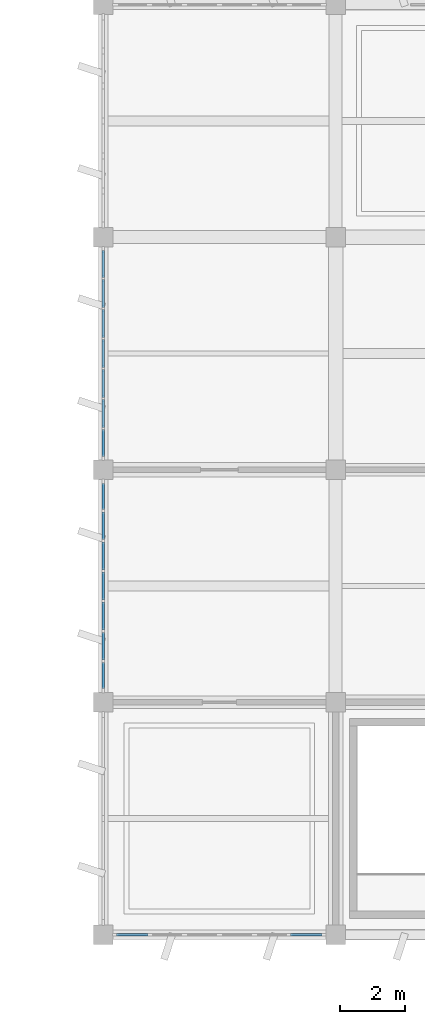
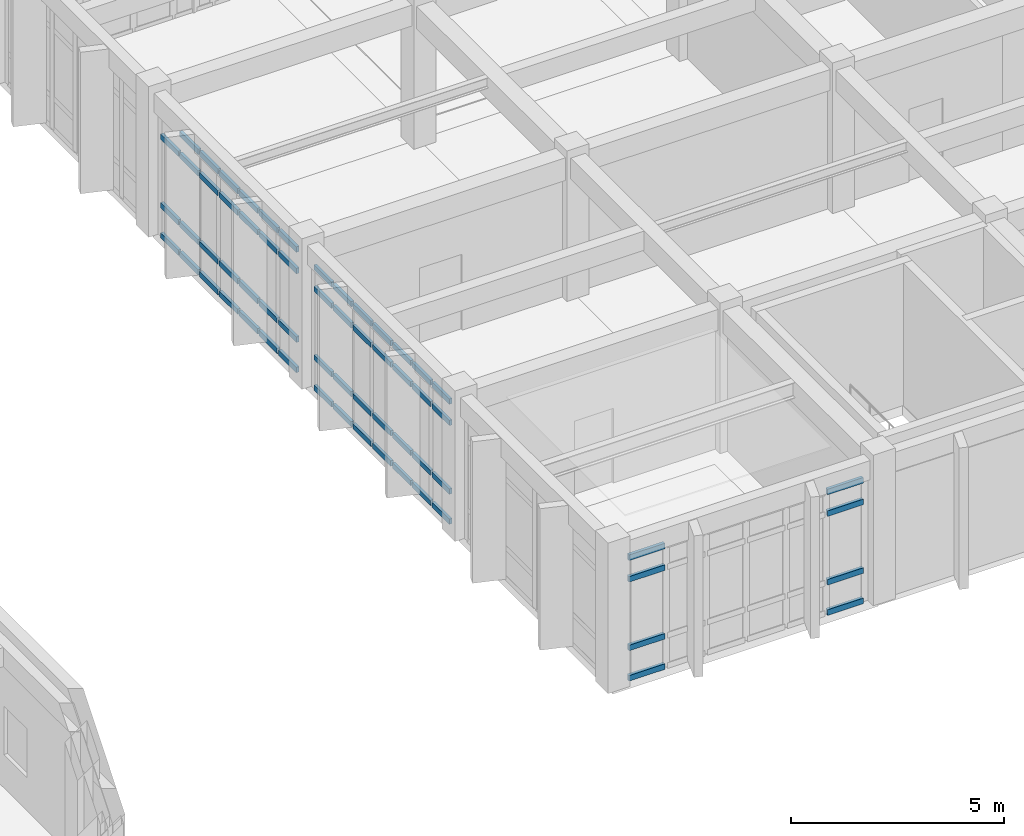
# One storey, part 30 of 70: 63 members, 3 elements without a shape of their own.
"""IFC4 building model written with IfcOpenShell, lengths in metres."""

from ifc_helpers import new_model, si_unit, direction, frame, origin, origin_2d, place, context, subcontext, project, spatial, rectangle, extrude, material, layer, layer_set, material_profile, profile_set, type_object, element, aggregate, save


model = new_model("IFC4")

# Units and contexts
model_context = context("Model", 3, precision=1e-05, world=origin(), true_north=direction((0.0, 1.0)))
body_context = subcontext(model_context, "Body", "Model", "MODEL_VIEW")
ifc_project = project(units=[si_unit("LENGTHUNIT", "METRE"), si_unit("AREAUNIT", "SQUARE_METRE"), si_unit("VOLUMEUNIT", "CUBIC_METRE"), si_unit("PLANEANGLEUNIT", "RADIAN"), si_unit("MASSUNIT", "GRAM", prefix="KILO")], contexts=[model_context])

# Site, building, storey
site_placement = place(None, origin())
site = spatial("IfcSite", under=ifc_project, at=site_placement, CompositionType="ELEMENT")
building_placement = place(site_placement, origin())
building = spatial("IfcBuilding", under=site, at=building_placement, Name="Kavelor Marine Aquarium", CompositionType="ELEMENT")
storey_placement = place(building_placement, frame((0.0, 0.0, 9.179931640625)))
storey = spatial("IfcBuildingStorey", under=building, at=storey_placement, Name="L02", CompositionType="ELEMENT", Elevation=9.179931640625)

# Curtain wall, members
ifc_material_1 = material(Name="Thermally Broken Aluminium and Low-E Glass", Category="aluminium")
ifc_layer_1 = layer(ifc_material_1, 0.14794921875)
ifc_layer_set_1 = layer_set([ifc_layer_1], Name="CW-SYS1")
curtain_wall_type_1 = type_object("IfcCurtainWallType", Name="CW-SYS1", PredefinedType="USERDEFINED", material=ifc_layer_set_1)
curtain_wall_1_placement = place(storey_placement, origin())
curtain_wall_1 = element("IfcCurtainWall", 1, at=curtain_wall_1_placement, inside=storey, type_object=curtain_wall_type_1, Name="cw:y:L02:16_01", ObjectType="Curtain Wall", PredefinedType="USERDEFINED")
ifc_material_2 = material(Name="Anodised Aluminium Alloy 6063-T6", Category="aluminium")
ifc_material_profile_1 = material_profile(ifc_material_2, rectangle(XDim=0.074951171875, YDim=0.14990234375, at=origin_2d()), Name="CW-TRN 75x150")
ifc_profile_set_1 = profile_set([ifc_material_profile_1], Name="Anodised Aluminium Alloy 6063-T6")
member_type_1 = type_object("IfcMemberType", Name="CWT-1", PredefinedType="USERDEFINED", material=ifc_profile_set_1)
member_1_placement = place(storey_placement, frame((118.39990234375, 16.780029296875, 0.03759765625), z_axis=(0.0, -1.0, 0.0), x_axis=(1.0, 0.0, 0.0)))
member_1 = element("IfcMember", 2, at=member_1_placement, type_object=member_type_1, Name="CW01 transom 1.1", ObjectType="TRANSOM", PredefinedType="USERDEFINED", context=body_context, shape_type="SweptSolid", body=[
    extrude(rectangle(XDim=0.074951171875, YDim=0.14990234375, at=origin_2d()), origin(), (0.0, 0.0, 1.0), 0.817626953125),
])
member_2_placement = place(storey_placement, frame((118.39990234375, 16.780029296875, 0.900146484375), z_axis=(0.0, -1.0, 0.0), x_axis=(1.0, 0.0, 0.0)))
member_2 = element("IfcMember", 3, at=member_2_placement, type_object=member_type_1, Name="CW01 transom 1.2", ObjectType="TRANSOM", PredefinedType="USERDEFINED", context=body_context, shape_type="SweptSolid", body=[
    extrude(rectangle(XDim=0.074951171875, YDim=0.14990234375, at=origin_2d()), origin(), (0.0, 0.0, 1.0), 0.817626953125),
])
member_3_placement = place(storey_placement, frame((118.39990234375, 16.780029296875, 2.8701171875), z_axis=(0.0, -1.0, 0.0), x_axis=(1.0, 0.0, 0.0)))
member_3 = element("IfcMember", 4, at=member_3_placement, type_object=member_type_1, Name="CW01 transom 1.3", ObjectType="TRANSOM", PredefinedType="USERDEFINED", context=body_context, shape_type="SweptSolid", body=[
    extrude(rectangle(XDim=0.074951171875, YDim=0.14990234375, at=origin_2d()), origin(), (0.0, 0.0, 1.0), 0.817626953125),
])
member_4_placement = place(storey_placement, frame((118.39990234375, 16.780029296875, 3.482666015625), z_axis=(0.0, -1.0, 0.0), x_axis=(1.0, 0.0, 0.0)))
member_4 = element("IfcMember", 5, at=member_4_placement, type_object=member_type_1, Name="CW01 transom 1.4", ObjectType="TRANSOM", PredefinedType="USERDEFINED", context=body_context, shape_type="SweptSolid", body=[
    extrude(rectangle(XDim=0.074951171875, YDim=0.14990234375, at=origin_2d()), origin(), (0.0, 0.0, 1.0), 0.817626953125),
])
member_5_placement = place(storey_placement, frame((118.39990234375, 15.887451171875, 0.03759765625), z_axis=(0.0, -1.0, 0.0), x_axis=(1.0, 0.0, 0.0)))
member_5 = element("IfcMember", 6, at=member_5_placement, type_object=member_type_1, Name="CW01 transom 2.1", ObjectType="TRANSOM", PredefinedType="USERDEFINED", context=body_context, shape_type="SweptSolid", body=[
    extrude(rectangle(XDim=0.074951171875, YDim=0.14990234375, at=origin_2d()), origin(), (0.0, 0.0, 1.0), 0.85498046875),
])
member_6_placement = place(storey_placement, frame((118.39990234375, 15.887451171875, 0.900146484375), z_axis=(0.0, -1.0, 0.0), x_axis=(1.0, 0.0, 0.0)))
member_6 = element("IfcMember", 7, at=member_6_placement, type_object=member_type_1, Name="CW01 transom 2.2", ObjectType="TRANSOM", PredefinedType="USERDEFINED", context=body_context, shape_type="SweptSolid", body=[
    extrude(rectangle(XDim=0.074951171875, YDim=0.14990234375, at=origin_2d()), origin(), (0.0, 0.0, 1.0), 0.85498046875),
])
member_7_placement = place(storey_placement, frame((118.39990234375, 15.887451171875, 2.8701171875), z_axis=(0.0, -1.0, 0.0), x_axis=(1.0, 0.0, 0.0)))
member_7 = element("IfcMember", 8, at=member_7_placement, type_object=member_type_1, Name="CW01 transom 2.3", ObjectType="TRANSOM", PredefinedType="USERDEFINED", context=body_context, shape_type="SweptSolid", body=[
    extrude(rectangle(XDim=0.074951171875, YDim=0.14990234375, at=origin_2d()), origin(), (0.0, 0.0, 1.0), 0.85498046875),
])
member_8_placement = place(storey_placement, frame((118.39990234375, 15.887451171875, 3.482666015625), z_axis=(0.0, -1.0, 0.0), x_axis=(1.0, 0.0, 0.0)))
member_8 = element("IfcMember", 9, at=member_8_placement, type_object=member_type_1, Name="CW01 transom 2.4", ObjectType="TRANSOM", PredefinedType="USERDEFINED", context=body_context, shape_type="SweptSolid", body=[
    extrude(rectangle(XDim=0.074951171875, YDim=0.14990234375, at=origin_2d()), origin(), (0.0, 0.0, 1.0), 0.85498046875),
])
member_9_placement = place(storey_placement, frame((118.39990234375, 14.95751953125, 0.03759765625), z_axis=(0.0, -1.0, 0.0), x_axis=(1.0, 0.0, 0.0)))
member_9 = element("IfcMember", 10, at=member_9_placement, type_object=member_type_1, Name="CW01 transom 3.1", ObjectType="TRANSOM", PredefinedType="USERDEFINED", context=body_context, shape_type="SweptSolid", body=[
    extrude(rectangle(XDim=0.074951171875, YDim=0.14990234375, at=origin_2d()), origin(), (0.0, 0.0, 1.0), 0.85498046875),
])
member_10_placement = place(storey_placement, frame((118.39990234375, 14.95751953125, 0.900146484375), z_axis=(0.0, -1.0, 0.0), x_axis=(1.0, 0.0, 0.0)))
member_10 = element("IfcMember", 11, at=member_10_placement, type_object=member_type_1, Name="CW01 transom 3.2", ObjectType="TRANSOM", PredefinedType="USERDEFINED", context=body_context, shape_type="SweptSolid", body=[
    extrude(rectangle(XDim=0.074951171875, YDim=0.14990234375, at=origin_2d()), origin(), (0.0, 0.0, 1.0), 0.85498046875),
])
member_11_placement = place(storey_placement, frame((118.39990234375, 14.95751953125, 2.8701171875), z_axis=(0.0, -1.0, 0.0), x_axis=(1.0, 0.0, 0.0)))
member_11 = element("IfcMember", 12, at=member_11_placement, type_object=member_type_1, Name="CW01 transom 3.3", ObjectType="TRANSOM", PredefinedType="USERDEFINED", context=body_context, shape_type="SweptSolid", body=[
    extrude(rectangle(XDim=0.074951171875, YDim=0.14990234375, at=origin_2d()), origin(), (0.0, 0.0, 1.0), 0.85498046875),
])
member_12_placement = place(storey_placement, frame((118.39990234375, 14.95751953125, 3.482666015625), z_axis=(0.0, -1.0, 0.0), x_axis=(1.0, 0.0, 0.0)))
member_12 = element("IfcMember", 13, at=member_12_placement, type_object=member_type_1, Name="CW01 transom 3.4", ObjectType="TRANSOM", PredefinedType="USERDEFINED", context=body_context, shape_type="SweptSolid", body=[
    extrude(rectangle(XDim=0.074951171875, YDim=0.14990234375, at=origin_2d()), origin(), (0.0, 0.0, 1.0), 0.85498046875),
])
member_13_placement = place(storey_placement, frame((118.39990234375, 14.027587890625, 0.03759765625), z_axis=(0.0, -1.0, 0.0), x_axis=(1.0, 0.0, 0.0)))
member_13 = element("IfcMember", 14, at=member_13_placement, type_object=member_type_1, Name="CW01 transom 4.1", ObjectType="TRANSOM", PredefinedType="USERDEFINED", context=body_context, shape_type="SweptSolid", body=[
    extrude(rectangle(XDim=0.074951171875, YDim=0.14990234375, at=origin_2d()), origin(), (0.0, 0.0, 1.0), 0.85498046875),
])
member_14_placement = place(storey_placement, frame((118.39990234375, 14.027587890625, 0.900146484375), z_axis=(0.0, -1.0, 0.0), x_axis=(1.0, 0.0, 0.0)))
member_14 = element("IfcMember", 15, at=member_14_placement, type_object=member_type_1, Name="CW01 transom 4.2", ObjectType="TRANSOM", PredefinedType="USERDEFINED", context=body_context, shape_type="SweptSolid", body=[
    extrude(rectangle(XDim=0.074951171875, YDim=0.14990234375, at=origin_2d()), origin(), (0.0, 0.0, 1.0), 0.85498046875),
])
member_15_placement = place(storey_placement, frame((118.39990234375, 14.027587890625, 2.8701171875), z_axis=(0.0, -1.0, 0.0), x_axis=(1.0, 0.0, 0.0)))
member_15 = element("IfcMember", 16, at=member_15_placement, type_object=member_type_1, Name="CW01 transom 4.3", ObjectType="TRANSOM", PredefinedType="USERDEFINED", context=body_context, shape_type="SweptSolid", body=[
    extrude(rectangle(XDim=0.074951171875, YDim=0.14990234375, at=origin_2d()), origin(), (0.0, 0.0, 1.0), 0.85498046875),
])
member_16_placement = place(storey_placement, frame((118.39990234375, 14.027587890625, 3.482666015625), z_axis=(0.0, -1.0, 0.0), x_axis=(1.0, 0.0, 0.0)))
member_16 = element("IfcMember", 17, at=member_16_placement, type_object=member_type_1, Name="CW01 transom 4.4", ObjectType="TRANSOM", PredefinedType="USERDEFINED", context=body_context, shape_type="SweptSolid", body=[
    extrude(rectangle(XDim=0.074951171875, YDim=0.14990234375, at=origin_2d()), origin(), (0.0, 0.0, 1.0), 0.85498046875),
])
member_17_placement = place(storey_placement, frame((118.39990234375, 13.097412109375, 0.03759765625), z_axis=(0.0, -1.0, 0.0), x_axis=(1.0, 0.0, 0.0)))
member_17 = element("IfcMember", 18, at=member_17_placement, type_object=member_type_1, Name="CW01 transom 5.1", ObjectType="TRANSOM", PredefinedType="USERDEFINED", context=body_context, shape_type="SweptSolid", body=[
    extrude(rectangle(XDim=0.074951171875, YDim=0.14990234375, at=origin_2d()), origin(), (0.0, 0.0, 1.0), 0.85498046875),
])
member_18_placement = place(storey_placement, frame((118.39990234375, 13.097412109375, 0.900146484375), z_axis=(0.0, -1.0, 0.0), x_axis=(1.0, 0.0, 0.0)))
member_18 = element("IfcMember", 19, at=member_18_placement, type_object=member_type_1, Name="CW01 transom 5.2", ObjectType="TRANSOM", PredefinedType="USERDEFINED", context=body_context, shape_type="SweptSolid", body=[
    extrude(rectangle(XDim=0.074951171875, YDim=0.14990234375, at=origin_2d()), origin(), (0.0, 0.0, 1.0), 0.85498046875),
])
member_19_placement = place(storey_placement, frame((118.39990234375, 13.097412109375, 2.8701171875), z_axis=(0.0, -1.0, 0.0), x_axis=(1.0, 0.0, 0.0)))
member_19 = element("IfcMember", 20, at=member_19_placement, type_object=member_type_1, Name="CW01 transom 5.3", ObjectType="TRANSOM", PredefinedType="USERDEFINED", context=body_context, shape_type="SweptSolid", body=[
    extrude(rectangle(XDim=0.074951171875, YDim=0.14990234375, at=origin_2d()), origin(), (0.0, 0.0, 1.0), 0.85498046875),
])
member_20_placement = place(storey_placement, frame((118.39990234375, 13.097412109375, 3.482666015625), z_axis=(0.0, -1.0, 0.0), x_axis=(1.0, 0.0, 0.0)))
member_20 = element("IfcMember", 21, at=member_20_placement, type_object=member_type_1, Name="CW01 transom 5.4", ObjectType="TRANSOM", PredefinedType="USERDEFINED", context=body_context, shape_type="SweptSolid", body=[
    extrude(rectangle(XDim=0.074951171875, YDim=0.14990234375, at=origin_2d()), origin(), (0.0, 0.0, 1.0), 0.85498046875),
])
member_21_placement = place(storey_placement, frame((118.39990234375, 12.16748046875, 0.03759765625), z_axis=(0.0, -1.0, 0.0), x_axis=(1.0, 0.0, 0.0)))
member_21 = element("IfcMember", 22, at=member_21_placement, type_object=member_type_1, Name="CW01 transom 6.1", ObjectType="TRANSOM", PredefinedType="USERDEFINED", context=body_context, shape_type="SweptSolid", body=[
    extrude(rectangle(XDim=0.074951171875, YDim=0.14990234375, at=origin_2d()), origin(), (0.0, 0.0, 1.0), 0.85498046875),
])
member_22_placement = place(storey_placement, frame((118.39990234375, 12.16748046875, 0.900146484375), z_axis=(0.0, -1.0, 0.0), x_axis=(1.0, 0.0, 0.0)))
member_22 = element("IfcMember", 23, at=member_22_placement, type_object=member_type_1, Name="CW01 transom 6.2", ObjectType="TRANSOM", PredefinedType="USERDEFINED", context=body_context, shape_type="SweptSolid", body=[
    extrude(rectangle(XDim=0.074951171875, YDim=0.14990234375, at=origin_2d()), origin(), (0.0, 0.0, 1.0), 0.85498046875),
])
member_23_placement = place(storey_placement, frame((118.39990234375, 12.16748046875, 2.8701171875), z_axis=(0.0, -1.0, 0.0), x_axis=(1.0, 0.0, 0.0)))
member_23 = element("IfcMember", 24, at=member_23_placement, type_object=member_type_1, Name="CW01 transom 6.3", ObjectType="TRANSOM", PredefinedType="USERDEFINED", context=body_context, shape_type="SweptSolid", body=[
    extrude(rectangle(XDim=0.074951171875, YDim=0.14990234375, at=origin_2d()), origin(), (0.0, 0.0, 1.0), 0.85498046875),
])
member_24_placement = place(storey_placement, frame((118.39990234375, 12.16748046875, 3.482666015625), z_axis=(0.0, -1.0, 0.0), x_axis=(1.0, 0.0, 0.0)))
member_24 = element("IfcMember", 25, at=member_24_placement, type_object=member_type_1, Name="CW01 transom 6.4", ObjectType="TRANSOM", PredefinedType="USERDEFINED", context=body_context, shape_type="SweptSolid", body=[
    extrude(rectangle(XDim=0.074951171875, YDim=0.14990234375, at=origin_2d()), origin(), (0.0, 0.0, 1.0), 0.85498046875),
])
member_25_placement = place(storey_placement, frame((118.39990234375, 11.237548828125, 0.03759765625), z_axis=(0.0, -1.0, 0.0), x_axis=(1.0, 0.0, 0.0)))
member_25 = element("IfcMember", 26, at=member_25_placement, type_object=member_type_1, Name="CW01 transom 7.1", ObjectType="TRANSOM", PredefinedType="USERDEFINED", context=body_context, shape_type="SweptSolid", body=[
    extrude(rectangle(XDim=0.074951171875, YDim=0.14990234375, at=origin_2d()), origin(), (0.0, 0.0, 1.0), 0.817626953125),
])
member_26_placement = place(storey_placement, frame((118.39990234375, 11.237548828125, 0.900146484375), z_axis=(0.0, -1.0, 0.0), x_axis=(1.0, 0.0, 0.0)))
member_26 = element("IfcMember", 27, at=member_26_placement, type_object=member_type_1, Name="CW01 transom 7.2", ObjectType="TRANSOM", PredefinedType="USERDEFINED", context=body_context, shape_type="SweptSolid", body=[
    extrude(rectangle(XDim=0.074951171875, YDim=0.14990234375, at=origin_2d()), origin(), (0.0, 0.0, 1.0), 0.817626953125),
])
member_27_placement = place(storey_placement, frame((118.39990234375, 11.237548828125, 2.8701171875), z_axis=(0.0, -1.0, 0.0), x_axis=(1.0, 0.0, 0.0)))
member_27 = element("IfcMember", 28, at=member_27_placement, type_object=member_type_1, Name="CW01 transom 7.3", ObjectType="TRANSOM", PredefinedType="USERDEFINED", context=body_context, shape_type="SweptSolid", body=[
    extrude(rectangle(XDim=0.074951171875, YDim=0.14990234375, at=origin_2d()), origin(), (0.0, 0.0, 1.0), 0.817626953125),
])
member_28_placement = place(storey_placement, frame((118.39990234375, 11.237548828125, 3.482666015625), z_axis=(0.0, -1.0, 0.0), x_axis=(1.0, 0.0, 0.0)))
member_28 = element("IfcMember", 29, at=member_28_placement, type_object=member_type_1, Name="CW01 transom 7.4", ObjectType="TRANSOM", PredefinedType="USERDEFINED", context=body_context, shape_type="SweptSolid", body=[
    extrude(rectangle(XDim=0.074951171875, YDim=0.14990234375, at=origin_2d()), origin(), (0.0, 0.0, 1.0), 0.817626953125),
])
aggregate(curtain_wall_1, [member_1, member_2, member_3, member_4, member_5, member_6, member_7, member_8, member_9, member_10, member_11, member_12, member_13, member_14, member_15, member_16, member_17, member_18, member_19, member_20, member_21, member_22, member_23, member_24, member_25, member_26, member_27, member_28])

ifc_material_3 = material(Name="Thermally Broken Aluminium and Low-E Glass", Category="aluminium")
ifc_layer_2 = layer(ifc_material_3, 0.156005859375)
ifc_layer_set_2 = layer_set([ifc_layer_2], Name="CW-SYS2")
curtain_wall_type_2 = type_object("IfcCurtainWallType", Name="CW-SYS2", PredefinedType="USERDEFINED", material=ifc_layer_set_2)
curtain_wall_2_placement = place(storey_placement, origin())
curtain_wall_2 = element("IfcCurtainWall", 30, at=curtain_wall_2_placement, inside=storey, type_object=curtain_wall_type_2, Name="cw:y:L02:16_02", ObjectType="Curtain Wall", PredefinedType="USERDEFINED")
ifc_material_4 = material(Name="Anodised Aluminium Alloy 6063-T6", Category="aluminium")
ifc_material_profile_2 = material_profile(ifc_material_4, rectangle(XDim=0.080078125, YDim=0.155029296875, at=origin_2d()), Name="CW-TRN 80x155")
ifc_profile_set_2 = profile_set([ifc_material_profile_2], Name="Anodised Aluminium Alloy 6063-T6")
member_type_2 = type_object("IfcMemberType", Name="CWT-2", PredefinedType="USERDEFINED", material=ifc_profile_set_2)
member_29_placement = place(storey_placement, frame((118.39990234375, 23.989990234375, 0.032470703125), z_axis=(0.0, -1.0, 0.0), x_axis=(1.0, 0.0, 0.0)))
member_29 = element("IfcMember", 31, at=member_29_placement, type_object=member_type_2, Name="CW02 transom 1.1", ObjectType="TRANSOM", PredefinedType="USERDEFINED", context=body_context, shape_type="SweptSolid", body=[
    extrude(rectangle(XDim=0.080078125, YDim=0.155029296875, at=origin_2d()), origin(), (0.0, 0.0, 1.0), 0.83251953125),
])
member_30_placement = place(storey_placement, frame((118.39990234375, 23.989990234375, 0.900146484375), z_axis=(0.0, -1.0, 0.0), x_axis=(1.0, 0.0, 0.0)))
member_30 = element("IfcMember", 32, at=member_30_placement, type_object=member_type_2, Name="CW02 transom 1.2", ObjectType="TRANSOM", PredefinedType="USERDEFINED", context=body_context, shape_type="SweptSolid", body=[
    extrude(rectangle(XDim=0.080078125, YDim=0.155029296875, at=origin_2d()), origin(), (0.0, 0.0, 1.0), 0.83251953125),
])
member_31_placement = place(storey_placement, frame((118.39990234375, 23.989990234375, 2.8701171875), z_axis=(0.0, -1.0, 0.0), x_axis=(1.0, 0.0, 0.0)))
member_31 = element("IfcMember", 33, at=member_31_placement, type_object=member_type_2, Name="CW02 transom 1.3", ObjectType="TRANSOM", PredefinedType="USERDEFINED", context=body_context, shape_type="SweptSolid", body=[
    extrude(rectangle(XDim=0.080078125, YDim=0.155029296875, at=origin_2d()), origin(), (0.0, 0.0, 1.0), 0.83251953125),
])
member_32_placement = place(storey_placement, frame((118.39990234375, 23.092529296875, 0.032470703125), z_axis=(0.0, -1.0, 0.0), x_axis=(1.0, 0.0, 0.0)))
member_32 = element("IfcMember", 34, at=member_32_placement, type_object=member_type_2, Name="CW02 transom 2.1", ObjectType="TRANSOM", PredefinedType="USERDEFINED", context=body_context, shape_type="SweptSolid", body=[
    extrude(rectangle(XDim=0.080078125, YDim=0.155029296875, at=origin_2d()), origin(), (0.0, 0.0, 1.0), 0.864990234375),
])
member_33_placement = place(storey_placement, frame((118.39990234375, 23.092529296875, 0.900146484375), z_axis=(0.0, -1.0, 0.0), x_axis=(1.0, 0.0, 0.0)))
member_33 = element("IfcMember", 35, at=member_33_placement, type_object=member_type_2, Name="CW02 transom 2.2", ObjectType="TRANSOM", PredefinedType="USERDEFINED", context=body_context, shape_type="SweptSolid", body=[
    extrude(rectangle(XDim=0.080078125, YDim=0.155029296875, at=origin_2d()), origin(), (0.0, 0.0, 1.0), 0.864990234375),
])
member_34_placement = place(storey_placement, frame((118.39990234375, 23.092529296875, 2.8701171875), z_axis=(0.0, -1.0, 0.0), x_axis=(1.0, 0.0, 0.0)))
member_34 = element("IfcMember", 36, at=member_34_placement, type_object=member_type_2, Name="CW02 transom 2.3", ObjectType="TRANSOM", PredefinedType="USERDEFINED", context=body_context, shape_type="SweptSolid", body=[
    extrude(rectangle(XDim=0.080078125, YDim=0.155029296875, at=origin_2d()), origin(), (0.0, 0.0, 1.0), 0.864990234375),
])
member_35_placement = place(storey_placement, frame((118.39990234375, 23.092529296875, 3.487548828125), z_axis=(0.0, -1.0, 0.0), x_axis=(1.0, 0.0, 0.0)))
member_35 = element("IfcMember", 37, at=member_35_placement, type_object=member_type_2, Name="CW02 transom 2.4", ObjectType="TRANSOM", PredefinedType="USERDEFINED", context=body_context, shape_type="SweptSolid", body=[
    extrude(rectangle(XDim=0.080078125, YDim=0.155029296875, at=origin_2d()), origin(), (0.0, 0.0, 1.0), 0.864990234375),
])
member_36_placement = place(storey_placement, frame((118.39990234375, 22.16259765625, 0.032470703125), z_axis=(0.0, -1.0, 0.0), x_axis=(1.0, 0.0, 0.0)))
member_36 = element("IfcMember", 38, at=member_36_placement, type_object=member_type_2, Name="CW02 transom 3.1", ObjectType="TRANSOM", PredefinedType="USERDEFINED", context=body_context, shape_type="SweptSolid", body=[
    extrude(rectangle(XDim=0.080078125, YDim=0.155029296875, at=origin_2d()), origin(), (0.0, 0.0, 1.0), 0.864990234375),
])
member_37_placement = place(storey_placement, frame((118.39990234375, 22.16259765625, 0.900146484375), z_axis=(0.0, -1.0, 0.0), x_axis=(1.0, 0.0, 0.0)))
member_37 = element("IfcMember", 39, at=member_37_placement, type_object=member_type_2, Name="CW02 transom 3.2", ObjectType="TRANSOM", PredefinedType="USERDEFINED", context=body_context, shape_type="SweptSolid", body=[
    extrude(rectangle(XDim=0.080078125, YDim=0.155029296875, at=origin_2d()), origin(), (0.0, 0.0, 1.0), 0.864990234375),
])
member_38_placement = place(storey_placement, frame((118.39990234375, 22.16259765625, 2.8701171875), z_axis=(0.0, -1.0, 0.0), x_axis=(1.0, 0.0, 0.0)))
member_38 = element("IfcMember", 40, at=member_38_placement, type_object=member_type_2, Name="CW02 transom 3.3", ObjectType="TRANSOM", PredefinedType="USERDEFINED", context=body_context, shape_type="SweptSolid", body=[
    extrude(rectangle(XDim=0.080078125, YDim=0.155029296875, at=origin_2d()), origin(), (0.0, 0.0, 1.0), 0.864990234375),
])
member_39_placement = place(storey_placement, frame((118.39990234375, 22.16259765625, 3.487548828125), z_axis=(0.0, -1.0, 0.0), x_axis=(1.0, 0.0, 0.0)))
member_39 = element("IfcMember", 41, at=member_39_placement, type_object=member_type_2, Name="CW02 transom 3.4", ObjectType="TRANSOM", PredefinedType="USERDEFINED", context=body_context, shape_type="SweptSolid", body=[
    extrude(rectangle(XDim=0.080078125, YDim=0.155029296875, at=origin_2d()), origin(), (0.0, 0.0, 1.0), 0.864990234375),
])
member_40_placement = place(storey_placement, frame((118.39990234375, 21.232421875, 0.032470703125), z_axis=(0.0, -1.0, 0.0), x_axis=(1.0, 0.0, 0.0)))
member_40 = element("IfcMember", 42, at=member_40_placement, type_object=member_type_2, Name="CW02 transom 4.1", ObjectType="TRANSOM", PredefinedType="USERDEFINED", context=body_context, shape_type="SweptSolid", body=[
    extrude(rectangle(XDim=0.080078125, YDim=0.155029296875, at=origin_2d()), origin(), (0.0, 0.0, 1.0), 0.864990234375),
])
member_41_placement = place(storey_placement, frame((118.39990234375, 21.232421875, 0.900146484375), z_axis=(0.0, -1.0, 0.0), x_axis=(1.0, 0.0, 0.0)))
member_41 = element("IfcMember", 43, at=member_41_placement, type_object=member_type_2, Name="CW02 transom 4.2", ObjectType="TRANSOM", PredefinedType="USERDEFINED", context=body_context, shape_type="SweptSolid", body=[
    extrude(rectangle(XDim=0.080078125, YDim=0.155029296875, at=origin_2d()), origin(), (0.0, 0.0, 1.0), 0.864990234375),
])
member_42_placement = place(storey_placement, frame((118.39990234375, 21.232421875, 2.8701171875), z_axis=(0.0, -1.0, 0.0), x_axis=(1.0, 0.0, 0.0)))
member_42 = element("IfcMember", 44, at=member_42_placement, type_object=member_type_2, Name="CW02 transom 4.3", ObjectType="TRANSOM", PredefinedType="USERDEFINED", context=body_context, shape_type="SweptSolid", body=[
    extrude(rectangle(XDim=0.080078125, YDim=0.155029296875, at=origin_2d()), origin(), (0.0, 0.0, 1.0), 0.864990234375),
])
member_43_placement = place(storey_placement, frame((118.39990234375, 21.232421875, 3.487548828125), z_axis=(0.0, -1.0, 0.0), x_axis=(1.0, 0.0, 0.0)))
member_43 = element("IfcMember", 45, at=member_43_placement, type_object=member_type_2, Name="CW02 transom 4.4", ObjectType="TRANSOM", PredefinedType="USERDEFINED", context=body_context, shape_type="SweptSolid", body=[
    extrude(rectangle(XDim=0.080078125, YDim=0.155029296875, at=origin_2d()), origin(), (0.0, 0.0, 1.0), 0.864990234375),
])
member_44_placement = place(storey_placement, frame((118.39990234375, 20.302490234375, 0.032470703125), z_axis=(0.0, -1.0, 0.0), x_axis=(1.0, 0.0, 0.0)))
member_44 = element("IfcMember", 46, at=member_44_placement, type_object=member_type_2, Name="CW02 transom 5.1", ObjectType="TRANSOM", PredefinedType="USERDEFINED", context=body_context, shape_type="SweptSolid", body=[
    extrude(rectangle(XDim=0.080078125, YDim=0.155029296875, at=origin_2d()), origin(), (0.0, 0.0, 1.0), 0.864990234375),
])
member_45_placement = place(storey_placement, frame((118.39990234375, 20.302490234375, 0.900146484375), z_axis=(0.0, -1.0, 0.0), x_axis=(1.0, 0.0, 0.0)))
member_45 = element("IfcMember", 47, at=member_45_placement, type_object=member_type_2, Name="CW02 transom 5.2", ObjectType="TRANSOM", PredefinedType="USERDEFINED", context=body_context, shape_type="SweptSolid", body=[
    extrude(rectangle(XDim=0.080078125, YDim=0.155029296875, at=origin_2d()), origin(), (0.0, 0.0, 1.0), 0.864990234375),
])
member_46_placement = place(storey_placement, frame((118.39990234375, 20.302490234375, 2.8701171875), z_axis=(0.0, -1.0, 0.0), x_axis=(1.0, 0.0, 0.0)))
member_46 = element("IfcMember", 48, at=member_46_placement, type_object=member_type_2, Name="CW02 transom 5.3", ObjectType="TRANSOM", PredefinedType="USERDEFINED", context=body_context, shape_type="SweptSolid", body=[
    extrude(rectangle(XDim=0.080078125, YDim=0.155029296875, at=origin_2d()), origin(), (0.0, 0.0, 1.0), 0.864990234375),
])
member_47_placement = place(storey_placement, frame((118.39990234375, 20.302490234375, 3.487548828125), z_axis=(0.0, -1.0, 0.0), x_axis=(1.0, 0.0, 0.0)))
member_47 = element("IfcMember", 49, at=member_47_placement, type_object=member_type_2, Name="CW02 transom 5.4", ObjectType="TRANSOM", PredefinedType="USERDEFINED", context=body_context, shape_type="SweptSolid", body=[
    extrude(rectangle(XDim=0.080078125, YDim=0.155029296875, at=origin_2d()), origin(), (0.0, 0.0, 1.0), 0.864990234375),
])
member_48_placement = place(storey_placement, frame((118.39990234375, 19.37255859375, 0.032470703125), z_axis=(0.0, -1.0, 0.0), x_axis=(1.0, 0.0, 0.0)))
member_48 = element("IfcMember", 50, at=member_48_placement, type_object=member_type_2, Name="CW02 transom 6.1", ObjectType="TRANSOM", PredefinedType="USERDEFINED", context=body_context, shape_type="SweptSolid", body=[
    extrude(rectangle(XDim=0.080078125, YDim=0.155029296875, at=origin_2d()), origin(), (0.0, 0.0, 1.0), 0.864990234375),
])
member_49_placement = place(storey_placement, frame((118.39990234375, 19.37255859375, 0.900146484375), z_axis=(0.0, -1.0, 0.0), x_axis=(1.0, 0.0, 0.0)))
member_49 = element("IfcMember", 51, at=member_49_placement, type_object=member_type_2, Name="CW02 transom 6.2", ObjectType="TRANSOM", PredefinedType="USERDEFINED", context=body_context, shape_type="SweptSolid", body=[
    extrude(rectangle(XDim=0.080078125, YDim=0.155029296875, at=origin_2d()), origin(), (0.0, 0.0, 1.0), 0.864990234375),
])
member_50_placement = place(storey_placement, frame((118.39990234375, 19.37255859375, 2.8701171875), z_axis=(0.0, -1.0, 0.0), x_axis=(1.0, 0.0, 0.0)))
member_50 = element("IfcMember", 52, at=member_50_placement, type_object=member_type_2, Name="CW02 transom 6.3", ObjectType="TRANSOM", PredefinedType="USERDEFINED", context=body_context, shape_type="SweptSolid", body=[
    extrude(rectangle(XDim=0.080078125, YDim=0.155029296875, at=origin_2d()), origin(), (0.0, 0.0, 1.0), 0.864990234375),
])
member_51_placement = place(storey_placement, frame((118.39990234375, 19.37255859375, 3.487548828125), z_axis=(0.0, -1.0, 0.0), x_axis=(1.0, 0.0, 0.0)))
member_51 = element("IfcMember", 53, at=member_51_placement, type_object=member_type_2, Name="CW02 transom 6.4", ObjectType="TRANSOM", PredefinedType="USERDEFINED", context=body_context, shape_type="SweptSolid", body=[
    extrude(rectangle(XDim=0.080078125, YDim=0.155029296875, at=origin_2d()), origin(), (0.0, 0.0, 1.0), 0.864990234375),
])
member_52_placement = place(storey_placement, frame((118.39990234375, 18.4423828125, 0.032470703125), z_axis=(0.0, -1.0, 0.0), x_axis=(1.0, 0.0, 0.0)))
member_52 = element("IfcMember", 54, at=member_52_placement, type_object=member_type_2, Name="CW02 transom 7.1", ObjectType="TRANSOM", PredefinedType="USERDEFINED", context=body_context, shape_type="SweptSolid", body=[
    extrude(rectangle(XDim=0.080078125, YDim=0.155029296875, at=origin_2d()), origin(), (0.0, 0.0, 1.0), 0.832275390625),
])
member_53_placement = place(storey_placement, frame((118.39990234375, 18.4423828125, 0.900146484375), z_axis=(0.0, -1.0, 0.0), x_axis=(1.0, 0.0, 0.0)))
member_53 = element("IfcMember", 55, at=member_53_placement, type_object=member_type_2, Name="CW02 transom 7.2", ObjectType="TRANSOM", PredefinedType="USERDEFINED", context=body_context, shape_type="SweptSolid", body=[
    extrude(rectangle(XDim=0.080078125, YDim=0.155029296875, at=origin_2d()), origin(), (0.0, 0.0, 1.0), 0.832275390625),
])
member_54_placement = place(storey_placement, frame((118.39990234375, 18.4423828125, 2.8701171875), z_axis=(0.0, -1.0, 0.0), x_axis=(1.0, 0.0, 0.0)))
member_54 = element("IfcMember", 56, at=member_54_placement, type_object=member_type_2, Name="CW02 transom 7.3", ObjectType="TRANSOM", PredefinedType="USERDEFINED", context=body_context, shape_type="SweptSolid", body=[
    extrude(rectangle(XDim=0.080078125, YDim=0.155029296875, at=origin_2d()), origin(), (0.0, 0.0, 1.0), 0.832275390625),
])
member_55_placement = place(storey_placement, frame((118.39990234375, 18.4423828125, 3.487548828125), z_axis=(0.0, -1.0, 0.0), x_axis=(1.0, 0.0, 0.0)))
member_55 = element("IfcMember", 57, at=member_55_placement, type_object=member_type_2, Name="CW02 transom 7.4", ObjectType="TRANSOM", PredefinedType="USERDEFINED", context=body_context, shape_type="SweptSolid", body=[
    extrude(rectangle(XDim=0.080078125, YDim=0.155029296875, at=origin_2d()), origin(), (0.0, 0.0, 1.0), 0.832275390625),
])
aggregate(curtain_wall_2, [member_29, member_30, member_31, member_32, member_33, member_34, member_35, member_36, member_37, member_38, member_39, member_40, member_41, member_42, member_43, member_44, member_45, member_46, member_47, member_48, member_49, member_50, member_51, member_52, member_53, member_54, member_55])

ifc_material_5 = material(Name="Thermally Broken Aluminium and Low-E Glass", Category="aluminium")
ifc_layer_3 = layer(ifc_material_5, 0.172119140625)
ifc_layer_set_3 = layer_set([ifc_layer_3], Name="CW-SYS4")
curtain_wall_type_3 = type_object("IfcCurtainWallType", Name="CW-SYS4", PredefinedType="USERDEFINED", material=ifc_layer_set_3)
curtain_wall_3_placement = place(storey_placement, origin())
curtain_wall_3 = element("IfcCurtainWall", 58, at=curtain_wall_3_placement, inside=storey, type_object=curtain_wall_type_3, Name="cw:x:L02:16_00", ObjectType="Curtain Wall", PredefinedType="USERDEFINED")
ifc_material_6 = material(Name="Anodised Aluminium Alloy 6063-T6", Category="aluminium")
ifc_material_profile_3 = material_profile(ifc_material_6, rectangle(XDim=0.0849609375, YDim=0.159912109375, at=origin_2d()), Name="CW-TRN 85x160")
ifc_profile_set_3 = profile_set([ifc_material_profile_3], Name="Anodised Aluminium Alloy 6063-T6")
member_type_3 = type_object("IfcMemberType", Name="CWT-3", PredefinedType="USERDEFINED", material=ifc_profile_set_3)
member_56_placement = place(storey_placement, frame((125.179931640625, 2.800048828125, 0.030029296875), z_axis=(-1.0, 0.0, 0.0), x_axis=(0.0, -1.0, 0.0)))
member_56 = element("IfcMember", 59, at=member_56_placement, type_object=member_type_3, Name="CW04 transom 1.1", ObjectType="TRANSOM", PredefinedType="USERDEFINED", context=body_context, shape_type="SweptSolid", body=[
    extrude(rectangle(XDim=0.0849609375, YDim=0.159912109375, at=origin_2d()), origin(), (0.0, 0.0, 1.0), 0.972412109375),
])
member_57_placement = place(storey_placement, frame((125.179931640625, 2.800048828125, 0.900146484375), z_axis=(-1.0, 0.0, 0.0), x_axis=(0.0, -1.0, 0.0)))
member_57 = element("IfcMember", 60, at=member_57_placement, type_object=member_type_3, Name="CW04 transom 1.2", ObjectType="TRANSOM", PredefinedType="USERDEFINED", context=body_context, shape_type="SweptSolid", body=[
    extrude(rectangle(XDim=0.0849609375, YDim=0.159912109375, at=origin_2d()), origin(), (0.0, 0.0, 1.0), 0.972412109375),
])
member_58_placement = place(storey_placement, frame((125.179931640625, 2.800048828125, 2.8701171875), z_axis=(-1.0, 0.0, 0.0), x_axis=(0.0, -1.0, 0.0)))
member_58 = element("IfcMember", 61, at=member_58_placement, type_object=member_type_3, Name="CW04 transom 1.3", ObjectType="TRANSOM", PredefinedType="USERDEFINED", context=body_context, shape_type="SweptSolid", body=[
    extrude(rectangle(XDim=0.0849609375, YDim=0.159912109375, at=origin_2d()), origin(), (0.0, 0.0, 1.0), 0.972412109375),
])
member_59_placement = place(storey_placement, frame((125.179931640625, 2.800048828125, 3.489990234375), z_axis=(-1.0, 0.0, 0.0), x_axis=(0.0, -1.0, 0.0)))
member_59 = element("IfcMember", 62, at=member_59_placement, type_object=member_type_3, Name="CW04 transom 1.4", ObjectType="TRANSOM", PredefinedType="USERDEFINED", context=body_context, shape_type="SweptSolid", body=[
    extrude(rectangle(XDim=0.0849609375, YDim=0.159912109375, at=origin_2d()), origin(), (0.0, 0.0, 1.0), 0.972412109375),
])
member_60_placement = place(storey_placement, frame((119.79248046875, 2.800048828125, 0.030029296875), z_axis=(-1.0, 0.0, 0.0), x_axis=(0.0, -1.0, 0.0)))
member_60 = element("IfcMember", 63, at=member_60_placement, type_object=member_type_3, Name="CW04 transom 6.1", ObjectType="TRANSOM", PredefinedType="USERDEFINED", context=body_context, shape_type="SweptSolid", body=[
    extrude(rectangle(XDim=0.0849609375, YDim=0.159912109375, at=origin_2d()), origin(), (0.0, 0.0, 1.0), 0.972412109375),
])
member_61_placement = place(storey_placement, frame((119.79248046875, 2.800048828125, 0.900146484375), z_axis=(-1.0, 0.0, 0.0), x_axis=(0.0, -1.0, 0.0)))
member_61 = element("IfcMember", 64, at=member_61_placement, type_object=member_type_3, Name="CW04 transom 6.2", ObjectType="TRANSOM", PredefinedType="USERDEFINED", context=body_context, shape_type="SweptSolid", body=[
    extrude(rectangle(XDim=0.0849609375, YDim=0.159912109375, at=origin_2d()), origin(), (0.0, 0.0, 1.0), 0.972412109375),
])
member_62_placement = place(storey_placement, frame((119.79248046875, 2.800048828125, 2.8701171875), z_axis=(-1.0, 0.0, 0.0), x_axis=(0.0, -1.0, 0.0)))
member_62 = element("IfcMember", 65, at=member_62_placement, type_object=member_type_3, Name="CW04 transom 6.3", ObjectType="TRANSOM", PredefinedType="USERDEFINED", context=body_context, shape_type="SweptSolid", body=[
    extrude(rectangle(XDim=0.0849609375, YDim=0.159912109375, at=origin_2d()), origin(), (0.0, 0.0, 1.0), 0.972412109375),
])
member_63_placement = place(storey_placement, frame((119.79248046875, 2.800048828125, 3.489990234375), z_axis=(-1.0, 0.0, 0.0), x_axis=(0.0, -1.0, 0.0)))
member_63 = element("IfcMember", 66, at=member_63_placement, type_object=member_type_3, Name="CW04 transom 6.4", ObjectType="TRANSOM", PredefinedType="USERDEFINED", context=body_context, shape_type="SweptSolid", body=[
    extrude(rectangle(XDim=0.0849609375, YDim=0.159912109375, at=origin_2d()), origin(), (0.0, 0.0, 1.0), 0.972412109375),
])
aggregate(curtain_wall_3, [member_56, member_57, member_58, member_59, member_60, member_61, member_62, member_63])

save(model, "model.ifc")
